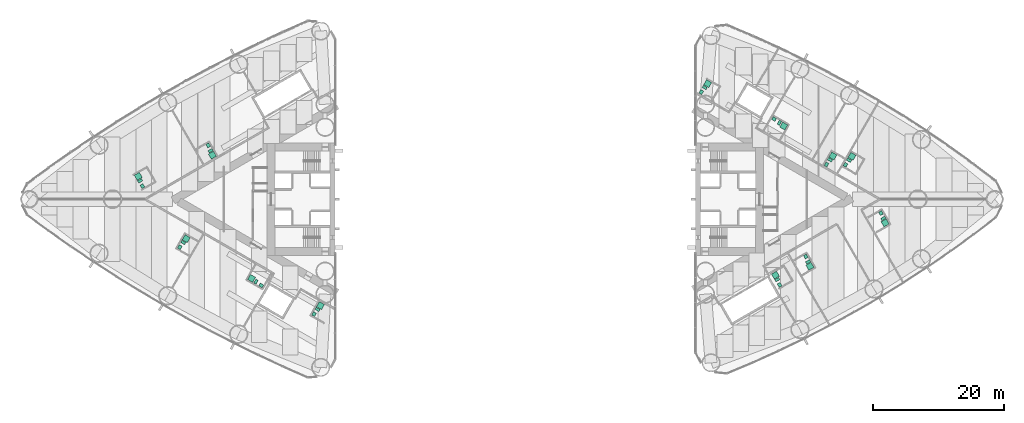
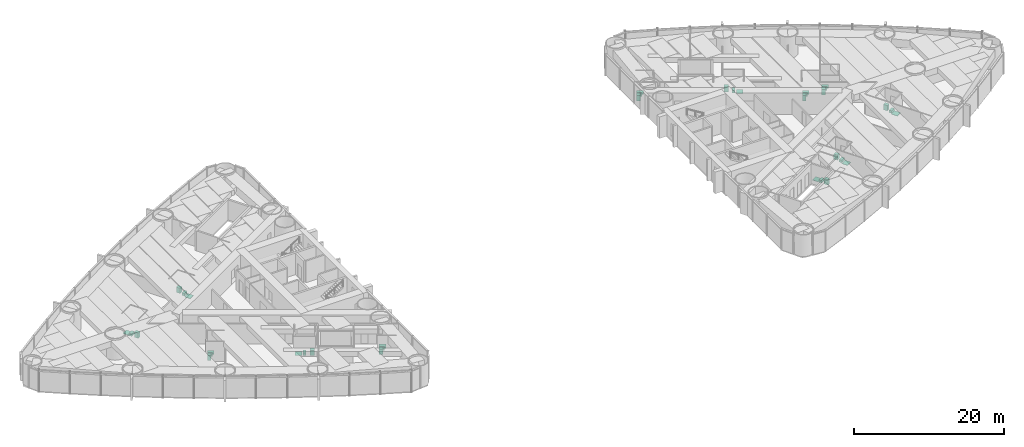
# One storey, part 18 of 18: 16 sanitary terminals.
"""IFC4 building model written with IfcOpenShell, lengths in metres."""

from ifc_helpers import new_model, si_unit, direction, frame, origin, origin_2d, place, context, subcontext, project, spatial, rectangle, extrude, material, type_object, element, save


model = new_model("IFC4")

# Units and contexts
model_context = context("Model", 3, precision=1e-05, world=origin(), true_north=direction((0.0, 1.0)))
body_context = subcontext(model_context, "Body", "Model", "MODEL_VIEW")
ifc_project = project(units=[si_unit("LENGTHUNIT", "METRE"), si_unit("AREAUNIT", "SQUARE_METRE"), si_unit("VOLUMEUNIT", "CUBIC_METRE"), si_unit("PLANEANGLEUNIT", "RADIAN"), si_unit("MASSUNIT", "GRAM", prefix="KILO")], contexts=[model_context])

# Site, building, storey
site_placement = place(None, origin())
site = spatial("IfcSite", under=ifc_project, at=site_placement, CompositionType="ELEMENT")
building_placement = place(site_placement, origin())
building = spatial("IfcBuilding", under=site, at=building_placement, Name="Lancet Gate Hotel", CompositionType="ELEMENT")
storey_placement = place(building_placement, frame((0.0, 0.0, 56.5)))
storey = spatial("IfcBuildingStorey", under=building, at=storey_placement, Name="L14", CompositionType="ELEMENT", Elevation=56.5)

# Sanitary terminals
ifc_material_1 = material(Name="Vitreous china sanitary ware")
sanitary_terminal_type_1 = type_object("IfcSanitaryTerminalType", Name="En-suite sanitary set (shower, WC, basin)", PredefinedType="USERDEFINED", material=ifc_material_1)
sanitary_terminal_1_placement = place(storey_placement, frame((-57.579833984375, 3.4921875, 0.0), z_axis=(0.0, 0.0, 1.0), x_axis=(1.0, 0.0, 0.0)))
element("IfcSanitaryTerminal", 1, at=sanitary_terminal_1_placement, inside=storey, type_object=sanitary_terminal_type_1, Name="En-suite sanitary set (shower, WC, basin) 1403", ObjectType="EN-SUITE SANITARY SET", PredefinedType="USERDEFINED", context=body_context, shape_type="SweptSolid", body=[
    extrude(rectangle(XDim=0.89990234375, YDim=0.89990234375, at=origin_2d()), frame((0.0, 0.0, 0.0), z_axis=(0.0, 0.0, 1.0), x_axis=(-0.5, 0.866025403784, 0.0)), (0.0, 0.0, 1.0), 0.050048828125),
    extrude(rectangle(XDim=0.39990234375, YDim=0.699951171875, at=origin_2d()), frame((0.2783203125, -0.682373046875, 0.0), z_axis=(0.0, 0.0, 1.0), x_axis=(-0.5, 0.866025403784, 0.0)), (0.0, 0.0, 1.0), 0.39990234375),
    extrude(rectangle(XDim=0.60009765625, YDim=0.5, at=origin_2d()), frame((0.6318359375, -1.494384765625, 0.0), z_axis=(0.0, 0.0, 1.0), x_axis=(-0.5, 0.866025403784, 0.0)), (0.0, 0.0, 1.0), 0.85009765625),
])
sanitary_terminal_2_placement = place(storey_placement, frame((-50.26171875, -6.031494140625, 0.0), z_axis=(0.0, 0.0, 1.0), x_axis=(1.0, 0.0, 0.0)))
element("IfcSanitaryTerminal", 2, at=sanitary_terminal_2_placement, inside=storey, type_object=sanitary_terminal_type_1, Name="En-suite sanitary set (shower, WC, basin) 1405", ObjectType="EN-SUITE SANITARY SET", PredefinedType="USERDEFINED", context=body_context, shape_type="SweptSolid", body=[
    extrude(rectangle(XDim=0.89990234375, YDim=0.89990234375, at=origin_2d()), frame((0.0, 0.0, 0.0), z_axis=(0.0, 0.0, 1.0), x_axis=(0.5, 0.866025403784, 0.0)), (0.0, 0.0, 1.0), 0.050048828125),
    extrude(rectangle(XDim=0.39990234375, YDim=0.699951171875, at=origin_2d()), frame((-0.451416015625, -0.58203125, 0.0), z_axis=(0.0, 0.0, 1.0), x_axis=(0.5, 0.866025403784, 0.0)), (0.0, 0.0, 1.0), 0.39990234375),
    extrude(rectangle(XDim=0.60009765625, YDim=0.5, at=origin_2d()), frame((-0.97802734375, -1.294189453125, 0.0), z_axis=(0.0, 0.0, 1.0), x_axis=(0.5, 0.866025403784, 0.0)), (0.0, 0.0, 1.0), 0.85009765625),
])
sanitary_terminal_3_placement = place(storey_placement, frame((-46.261962890625, 6.72412109375, 0.0), z_axis=(0.0, 0.0, 1.0), x_axis=(1.0, 0.0, 0.0)))
element("IfcSanitaryTerminal", 3, at=sanitary_terminal_3_placement, inside=storey, type_object=sanitary_terminal_type_1, Name="En-suite sanitary set (shower, WC, basin) 1402", ObjectType="EN-SUITE SANITARY SET", PredefinedType="USERDEFINED", context=body_context, shape_type="SweptSolid", body=[
    extrude(rectangle(XDim=0.89990234375, YDim=0.89990234375, at=origin_2d()), frame((0.0, 0.0, 0.0), z_axis=(0.0, 0.0, 1.0), x_axis=(0.5, -0.866025403784, 0.0)), (0.0, 0.0, 1.0), 0.050048828125),
    extrude(rectangle(XDim=0.39990234375, YDim=0.699951171875, at=origin_2d()), frame((-0.2783203125, 0.68212890625, 0.0), z_axis=(0.0, 0.0, 1.0), x_axis=(0.5, -0.866025403784, 0.0)), (0.0, 0.0, 1.0), 0.39990234375),
    extrude(rectangle(XDim=0.60009765625, YDim=0.5, at=origin_2d()), frame((-0.6318359375, 1.494140625, 0.0), z_axis=(0.0, 0.0, 1.0), x_axis=(0.5, -0.866025403784, 0.0)), (0.0, 0.0, 1.0), 0.85009765625),
])
sanitary_terminal_4_placement = place(storey_placement, frame((-29.751708984375, -16.256103515625, 0.0), z_axis=(0.0, 0.0, 1.0), x_axis=(1.0, 0.0, 0.0)))
element("IfcSanitaryTerminal", 4, at=sanitary_terminal_4_placement, inside=storey, type_object=sanitary_terminal_type_1, Name="En-suite sanitary set (shower, WC, basin) 1408", ObjectType="EN-SUITE SANITARY SET", PredefinedType="USERDEFINED", context=body_context, shape_type="SweptSolid", body=[
    extrude(rectangle(XDim=0.89990234375, YDim=0.89990234375, at=origin_2d()), frame((0.0, 0.0, 0.0), z_axis=(0.0, 0.0, 1.0), x_axis=(0.5, 0.866025403784, 0.0)), (0.0, 0.0, 1.0), 0.050048828125),
    extrude(rectangle(XDim=0.39990234375, YDim=0.699951171875, at=origin_2d()), frame((-0.45166015625, -0.582275390625, 0.0), z_axis=(0.0, 0.0, 1.0), x_axis=(0.5, 0.866025403784, 0.0)), (0.0, 0.0, 1.0), 0.39990234375),
    extrude(rectangle(XDim=0.60009765625, YDim=0.5, at=origin_2d()), frame((-0.978271484375, -1.29443359375, 0.0), z_axis=(0.0, 0.0, 1.0), x_axis=(0.5, 0.866025403784, 0.0)), (0.0, 0.0, 1.0), 0.85009765625),
])
sanitary_terminal_5_placement = place(storey_placement, frame((45.01220703125, -10.248046875, 0.0), z_axis=(0.0, 0.0, 1.0), x_axis=(1.0, 0.0, 0.0)))
element("IfcSanitaryTerminal", 5, at=sanitary_terminal_5_placement, inside=storey, type_object=sanitary_terminal_type_1, Name="En-suite sanitary set (shower, WC, basin) 1454", ObjectType="EN-SUITE SANITARY SET", PredefinedType="USERDEFINED", context=body_context, shape_type="SweptSolid", body=[
    extrude(rectangle(XDim=0.89990234375, YDim=0.89990234375, at=origin_2d()), frame((0.0, 0.0, 0.0), z_axis=(0.0, 0.0, 1.0), x_axis=(0.5, -0.866025403784, 0.0)), (0.0, 0.0, 1.0), 0.050048828125),
    extrude(rectangle(XDim=0.39990234375, YDim=0.699951171875, at=origin_2d()), frame((-0.278564453125, 0.68212890625, 0.0), z_axis=(0.0, 0.0, 1.0), x_axis=(0.5, -0.866025403784, 0.0)), (0.0, 0.0, 1.0), 0.39990234375),
    extrude(rectangle(XDim=0.60009765625, YDim=0.5, at=origin_2d()), frame((-0.6318359375, 1.494384765625, 0.0), z_axis=(0.0, 0.0, 1.0), x_axis=(0.5, -0.866025403784, 0.0)), (0.0, 0.0, 1.0), 0.85009765625),
])
sanitary_terminal_6_placement = place(storey_placement, frame((56.49609375, -3.617919921875, 0.0), z_axis=(0.0, 0.0, 1.0), x_axis=(1.0, 0.0, 0.0)))
element("IfcSanitaryTerminal", 6, at=sanitary_terminal_6_placement, inside=storey, type_object=sanitary_terminal_type_1, Name="En-suite sanitary set (shower, WC, basin) 1457", ObjectType="EN-SUITE SANITARY SET", PredefinedType="USERDEFINED", context=body_context, shape_type="SweptSolid", body=[
    extrude(rectangle(XDim=0.89990234375, YDim=0.89990234375, at=origin_2d()), frame((0.0, 0.0, 0.0), z_axis=(0.0, 0.0, 1.0), x_axis=(0.5, -0.866025403784, 0.0)), (0.0, 0.0, 1.0), 0.050048828125),
    extrude(rectangle(XDim=0.39990234375, YDim=0.699951171875, at=origin_2d()), frame((-0.278564453125, 0.682373046875, 0.0), z_axis=(0.0, 0.0, 1.0), x_axis=(0.5, -0.866025403784, 0.0)), (0.0, 0.0, 1.0), 0.39990234375),
    extrude(rectangle(XDim=0.60009765625, YDim=0.5, at=origin_2d()), frame((-0.6318359375, 1.494384765625, 0.0), z_axis=(0.0, 0.0, 1.0), x_axis=(0.5, -0.866025403784, 0.0)), (0.0, 0.0, 1.0), 0.85009765625),
])
sanitary_terminal_7_placement = place(storey_placement, frame((51.43310546875, 6.541015625, 0.0), z_axis=(0.0, 0.0, 1.0), x_axis=(1.0, 0.0, 0.0)))
element("IfcSanitaryTerminal", 7, at=sanitary_terminal_7_placement, inside=storey, type_object=sanitary_terminal_type_1, Name="En-suite sanitary set (shower, WC, basin) 1458", ObjectType="EN-SUITE SANITARY SET", PredefinedType="USERDEFINED", context=body_context, shape_type="SweptSolid", body=[
    extrude(rectangle(XDim=0.89990234375, YDim=0.89990234375, at=origin_2d()), frame((0.0, 0.0, 0.0), z_axis=(0.0, 0.0, 1.0), x_axis=(0.5, 0.866025403784, 0.0)), (0.0, 0.0, 1.0), 0.050048828125),
    extrude(rectangle(XDim=0.39990234375, YDim=0.699951171875, at=origin_2d()), frame((-0.45166015625, -0.582275390625, 0.0), z_axis=(0.0, 0.0, 1.0), x_axis=(0.5, 0.866025403784, 0.0)), (0.0, 0.0, 1.0), 0.39990234375),
    extrude(rectangle(XDim=0.60009765625, YDim=0.5, at=origin_2d()), frame((-0.978271484375, -1.29443359375, 0.0), z_axis=(0.0, 0.0, 1.0), x_axis=(0.5, 0.866025403784, 0.0)), (0.0, 0.0, 1.0), 0.85009765625),
])
sanitary_terminal_8_placement = place(storey_placement, frame((48.52490234375, 6.603515625, 0.0), z_axis=(0.0, 0.0, 1.0), x_axis=(1.0, 0.0, 0.0)))
element("IfcSanitaryTerminal", 8, at=sanitary_terminal_8_placement, inside=storey, type_object=sanitary_terminal_type_1, Name="En-suite sanitary set (shower, WC, basin) 1460", ObjectType="EN-SUITE SANITARY SET", PredefinedType="USERDEFINED", context=body_context, shape_type="SweptSolid", body=[
    extrude(rectangle(XDim=0.89990234375, YDim=0.89990234375, at=origin_2d()), frame((0.0, 0.0, 0.0), z_axis=(0.0, 0.0, 1.0), x_axis=(0.5, 0.866025403784, 0.0)), (0.0, 0.0, 1.0), 0.050048828125),
    extrude(rectangle(XDim=0.39990234375, YDim=0.699951171875, at=origin_2d()), frame((-0.451904296875, -0.582275390625, 0.0), z_axis=(0.0, 0.0, 1.0), x_axis=(0.5, 0.866025403784, 0.0)), (0.0, 0.0, 1.0), 0.39990234375),
    extrude(rectangle(XDim=0.60009765625, YDim=0.5, at=origin_2d()), frame((-0.978515625, -1.29443359375, 0.0), z_axis=(0.0, 0.0, 1.0), x_axis=(0.5, 0.866025403784, 0.0)), (0.0, 0.0, 1.0), 0.85009765625),
])
sanitary_terminal_9_placement = place(storey_placement, frame((39.74853515625, -11.60107421875, 0.0), z_axis=(0.0, 0.0, 1.0), x_axis=(1.0, 0.0, 0.0)))
element("IfcSanitaryTerminal", 9, at=sanitary_terminal_9_placement, inside=storey, type_object=sanitary_terminal_type_1, Name="En-suite sanitary set (shower, WC, basin) 1453", ObjectType="EN-SUITE SANITARY SET", PredefinedType="USERDEFINED", context=body_context, shape_type="SweptSolid", body=[
    extrude(rectangle(XDim=0.89990234375, YDim=0.89990234375, at=origin_2d()), frame((0.0, 0.0, 0.0), z_axis=(0.0, 0.0, 1.0), x_axis=(-0.5, 0.866025403784, 0.0)), (0.0, 0.0, 1.0), 0.050048828125),
    extrude(rectangle(XDim=0.39990234375, YDim=0.699951171875, at=origin_2d()), frame((0.2783203125, -0.68212890625, 0.0), z_axis=(0.0, 0.0, 1.0), x_axis=(-0.5, 0.866025403784, 0.0)), (0.0, 0.0, 1.0), 0.39990234375),
    extrude(rectangle(XDim=0.60009765625, YDim=0.5, at=origin_2d()), frame((0.6318359375, -1.494384765625, 0.0), z_axis=(0.0, 0.0, 1.0), x_axis=(-0.5, 0.866025403784, 0.0)), (0.0, 0.0, 1.0), 0.85009765625),
])
sanitary_terminal_10_placement = place(storey_placement, frame((29.390380859375, 17.650634765625, 0.0), z_axis=(0.0, 0.0, 1.0), x_axis=(1.0, 0.0, 0.0)))
element("IfcSanitaryTerminal", 10, at=sanitary_terminal_10_placement, inside=storey, type_object=sanitary_terminal_type_1, Name="En-suite sanitary set (shower, WC, basin) 1464", ObjectType="EN-SUITE SANITARY SET", PredefinedType="USERDEFINED", context=body_context, shape_type="SweptSolid", body=[
    extrude(rectangle(XDim=0.89990234375, YDim=0.89990234375, at=origin_2d()), frame((0.0, 0.0, 0.0), z_axis=(0.0, 0.0, 1.0), x_axis=(0.5, 0.866025403784, 0.0)), (0.0, 0.0, 1.0), 0.050048828125),
    extrude(rectangle(XDim=0.39990234375, YDim=0.699951171875, at=origin_2d()), frame((-0.451416015625, -0.582275390625, 0.0), z_axis=(0.0, 0.0, 1.0), x_axis=(0.5, 0.866025403784, 0.0)), (0.0, 0.0, 1.0), 0.39990234375),
    extrude(rectangle(XDim=0.60009765625, YDim=0.5, at=origin_2d()), frame((-0.97802734375, -1.29443359375, 0.0), z_axis=(0.0, 0.0, 1.0), x_axis=(0.5, 0.866025403784, 0.0)), (0.0, 0.0, 1.0), 0.85009765625),
])
ifc_material_2 = material(Name="Stone resin shower tray", Category="masonry")
sanitary_terminal_type_2 = type_object("IfcSanitaryTerminalType", Name="Shower tray 900", PredefinedType="SHOWER", material=ifc_material_2)
for number, where, z_axis, x_axis, name in (
    (11, (-40.2763671875, -12.0966796875, 0.0), (0.0, 0.0, 1.0), (-0.866025403784, 0.5, 0.0), "Shower tray 900 1407"),
    (12, (41.00634765625, 11.175048828125, 0.0), (0.0, 0.0, 1.0), (0.866025403784, -0.5, 0.0), "Shower tray 900 1461"),
):
    element("IfcSanitaryTerminal", number, at=place(storey_placement, frame(where, z_axis=z_axis, x_axis=x_axis)), inside=storey, type_object=sanitary_terminal_type_2, Name=name, PredefinedType="SHOWER", context=body_context, shape_type="SweptSolid", body=[
        extrude(rectangle(XDim=0.89990234375, YDim=0.89990234375, at=origin_2d()), origin(), (0.0, 0.0, 1.0), 0.050048828125),
    ])
ifc_material_3 = material(Name="Vitreous china sanitary ware")
sanitary_terminal_type_3 = type_object("IfcSanitaryTerminalType", Name="Vanity basin 600", PredefinedType="WASHHANDBASIN", material=ifc_material_3)
for number, where, z_axis, x_axis, name in (
    (13, (-38.808837890625, -13.1748046875, 0.0), (0.0, 0.0, 1.0), (-0.866025403784, 0.5, 0.0), "Vanity basin 600 1407"),
    (14, (39.538818359375, 12.25341796875, 0.0), (0.0, 0.0, 1.0), (0.866025403784, -0.5, 0.0), "Vanity basin 600 1461"),
):
    element("IfcSanitaryTerminal", number, at=place(storey_placement, frame(where, z_axis=z_axis, x_axis=x_axis)), inside=storey, type_object=sanitary_terminal_type_3, Name=name, PredefinedType="WASHHANDBASIN", context=body_context, shape_type="SweptSolid", body=[
        extrude(rectangle(XDim=0.60009765625, YDim=0.5, at=origin_2d()), origin(), (0.0, 0.0, 1.0), 0.85009765625),
    ])
ifc_material_4 = material(Name="Vitreous china sanitary ware")
sanitary_terminal_type_4 = type_object("IfcSanitaryTerminalType", Name="WC pan wall hung", PredefinedType="TOILETPAN", material=ifc_material_4)
for number, where, z_axis, x_axis, name in (
    (15, (-39.607421875, -12.59814453125, 0.0), (0.0, 0.0, 1.0), (-0.866025403784, 0.5, 0.0), "WC pan wall hung 1407"),
    (16, (40.337646484375, 11.6767578125, 0.0), (0.0, 0.0, 1.0), (0.866025403784, -0.5, 0.0), "WC pan wall hung 1461"),
):
    element("IfcSanitaryTerminal", number, at=place(storey_placement, frame(where, z_axis=z_axis, x_axis=x_axis)), inside=storey, type_object=sanitary_terminal_type_4, Name=name, PredefinedType="TOILETPAN", context=body_context, shape_type="SweptSolid", body=[
        extrude(rectangle(XDim=0.39990234375, YDim=0.699951171875, at=origin_2d()), origin(), (0.0, 0.0, 1.0), 0.39990234375),
    ])

save(model, "model.ifc")
